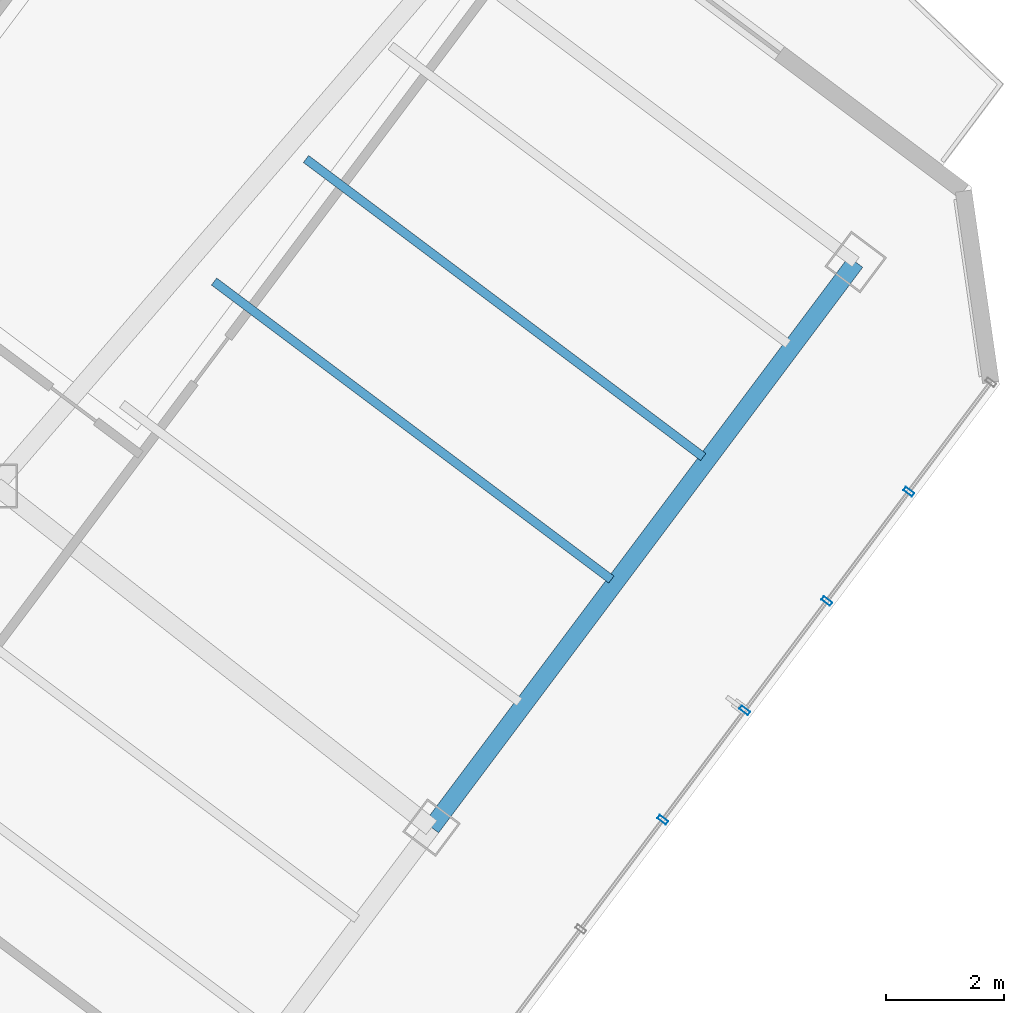
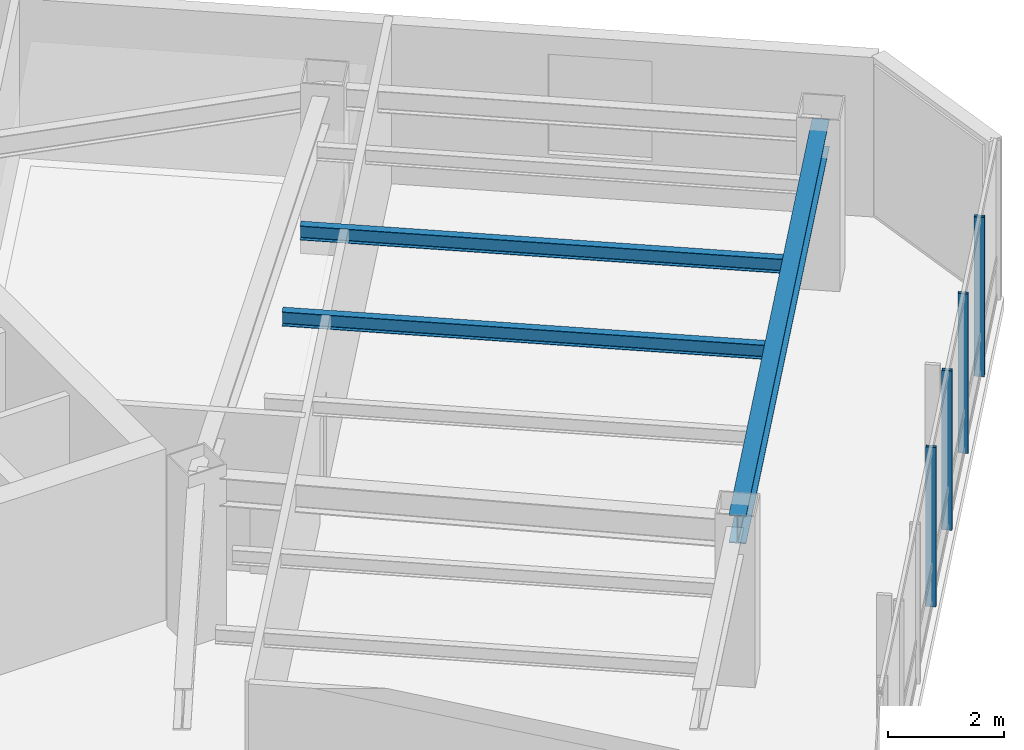
# One storey, part 13 of 25: 4 members, 3 beams, 1 element without a shape of its own.
"""IFC4 building model written with IfcOpenShell, lengths in metres."""

from ifc_helpers import new_model, si_unit, direction, frame, origin, origin_2d, place, context, subcontext, project, spatial, hollow_rectangle, i_section, extrude, material, layer, layer_set, material_profile, profile_set, type_object, element, aggregate, save


model = new_model("IFC4")

# Units and contexts
model_context = context("Model", 3, precision=1e-05, world=origin(), true_north=direction((0.0, 1.0)))
body_context = subcontext(model_context, "Body", "Model", "MODEL_VIEW")
ifc_project = project(units=[si_unit("LENGTHUNIT", "METRE"), si_unit("AREAUNIT", "SQUARE_METRE"), si_unit("VOLUMEUNIT", "CUBIC_METRE"), si_unit("PLANEANGLEUNIT", "RADIAN"), si_unit("MASSUNIT", "GRAM", prefix="KILO")], contexts=[model_context])

# Site, building, storey
site_placement = place(None, origin())
site = spatial("IfcSite", under=ifc_project, at=site_placement, CompositionType="ELEMENT")
building_placement = place(site_placement, origin())
building = spatial("IfcBuilding", under=site, at=building_placement, Name="Hatsunagi Terrace Concourse", CompositionType="ELEMENT")
storey_placement = place(building_placement, frame((0.0, 0.0, 205.949951171875)))
storey = spatial("IfcBuildingStorey", under=building, at=storey_placement, Name="L54", CompositionType="ELEMENT", Elevation=205.949951171875)

# Curtain wall, members
ifc_material_1 = material(Name="Anodised Aluminium Alloy 6063-T5", Category="aluminium")
ifc_layer = layer(ifc_material_1, 0.199951171875)
ifc_layer_set = layer_set([ifc_layer], Name="OfficeZone2_CW04")
curtain_wall_type = type_object("IfcCurtainWallType", Name="OfficeZone2_CW04", PredefinedType="NOTDEFINED", material=ifc_layer_set)
curtain_wall_placement = place(storey_placement, origin())
curtain_wall = element("IfcCurtainWall", 1, at=curtain_wall_placement, inside=storey, type_object=curtain_wall_type, Name="Unitised Curtain Wall CW-04 CW-L54-03", PredefinedType="NOTDEFINED")
ifc_material_2 = material(Name="Anodised Aluminium Alloy 6063-T5", Category="aluminium")
ifc_material_profile_1 = material_profile(ifc_material_2, hollow_rectangle(XDim=0.070068359375, YDim=0.179931640625, WallThickness=0.00390625, at=origin_2d()), Name="ALU-MUL-180x70x4")
ifc_profile_set_1 = profile_set([ifc_material_profile_1], Name="Anodised Aluminium Alloy 6063-T5")
member_type = type_object("IfcMemberType", Name="CurtainWallMullion_180x70", PredefinedType="MULLION", material=ifc_profile_set_1)
member_1_placement = place(storey_placement, frame((59.301025390625, 24.10205078125, 0.0), z_axis=(0.0, 0.0, 1.0), x_axis=(-0.599969314634, -0.800023013105, 0.0)))
member_1 = element("IfcMember", 2, at=member_1_placement, type_object=member_type, Name="Curtain Wall Mullion MUL-02", PredefinedType="MULLION", context=body_context, shape_type="SweptSolid", body=[
    extrude(hollow_rectangle(XDim=0.070068359375, YDim=0.179931640625, WallThickness=0.00390625, at=origin_2d()), origin(), (0.0, 0.0, 1.0), 3.35009765625),
])
member_2_placement = place(storey_placement, frame((57.908935546875, 22.2451171875, 0.0), z_axis=(0.0, 0.0, 1.0), x_axis=(-0.599969314634, -0.800023013105, 0.0)))
member_2 = element("IfcMember", 3, at=member_2_placement, type_object=member_type, Name="Curtain Wall Mullion MUL-02", PredefinedType="MULLION", context=body_context, shape_type="SweptSolid", body=[
    extrude(hollow_rectangle(XDim=0.070068359375, YDim=0.179931640625, WallThickness=0.00390625, at=origin_2d()), origin(), (0.0, 0.0, 1.0), 3.35009765625),
])
member_3_placement = place(storey_placement, frame((56.51611328125, 20.388916015625, 0.0), z_axis=(0.0, 0.0, 1.0), x_axis=(-0.599969314634, -0.800023013105, 0.0)))
member_3 = element("IfcMember", 4, at=member_3_placement, type_object=member_type, Name="Curtain Wall Mullion MUL-02", PredefinedType="MULLION", context=body_context, shape_type="SweptSolid", body=[
    extrude(hollow_rectangle(XDim=0.070068359375, YDim=0.179931640625, WallThickness=0.00390625, at=origin_2d()), origin(), (0.0, 0.0, 1.0), 3.35009765625),
])
member_4_placement = place(storey_placement, frame((55.1240234375, 18.531982421875, 0.0), z_axis=(0.0, 0.0, 1.0), x_axis=(-0.599969314634, -0.800023013105, 0.0)))
member_4 = element("IfcMember", 5, at=member_4_placement, type_object=member_type, Name="Curtain Wall Mullion MUL-02", PredefinedType="MULLION", context=body_context, shape_type="SweptSolid", body=[
    extrude(hollow_rectangle(XDim=0.070068359375, YDim=0.179931640625, WallThickness=0.00390625, at=origin_2d()), origin(), (0.0, 0.0, 1.0), 3.35009765625),
])
aggregate(curtain_wall, [member_1, member_2, member_3, member_4])

# Beams
ifc_material_3 = material(Name="Steel SN490B", Category="steel")
ifc_material_profile_2 = material_profile(ifc_material_3, i_section(OverallWidth=0.300048828125, OverallDepth=0.587890625, WebThickness=0.011962890625, FlangeThickness=0.02001953125, FilletRadius=0.01806640625, at=origin_2d()), Name="H-588x300x12x20")
ifc_profile_set_2 = profile_set([ifc_material_profile_2], Name="Steel SN490B")
beam_type_1 = type_object("IfcBeamType", Name="OfficeHighGirder_H_588x300", PredefinedType="BEAM", material=ifc_profile_set_2)
beam_placement = place(storey_placement, frame((51.199951171875, 18.39990234375, 3.05615234375), z_axis=(0.59999348959, 0.800004882766, 0.0), x_axis=(-0.800004882766, 0.59999348959, 0.0)))
element("IfcBeam", 6, at=beam_placement, inside=storey, type_object=beam_type_1, Name="Beam G-06 BM-L54-SET-2B", PredefinedType="BEAM", context=body_context, shape_type="SweptSolid", body=[
    extrude(i_section(OverallWidth=0.300048828125, OverallDepth=0.587890625, WebThickness=0.011962890625, FlangeThickness=0.02001953125, FilletRadius=0.01806640625, at=origin_2d()), origin(), (0.0, 0.0, 1.0), 12.0),
])
ifc_material_4 = material(Name="Steel SN490B", Category="steel")
ifc_material_profile_3 = material_profile(ifc_material_4, i_section(OverallWidth=0.14990234375, OverallDepth=0.300048828125, WebThickness=0.006591796875, FlangeThickness=0.009033203125, FilletRadius=0.010986328125, at=origin_2d()), Name="H-300x150x6.5x9")
ifc_profile_set_3 = profile_set([ifc_material_profile_3], Name="Steel SN490B")
beam_type_2 = type_object("IfcBeamType", Name="OfficeJoist_H_300x150", PredefinedType="JOIST", material=ifc_profile_set_3)
for number, where, z_axis, x_axis, name in (
    (7, (47.508056640625, 27.6689453125, 3.199951171875), (0.800003475366, -0.59999536615, 0.0), (0.59999536615, 0.800003475366, 0.0), "Beam J-03 J-L54-SE-2-168"),
    (8, (49.068115234375, 29.7490234375, 3.199951171875), (0.799989573921, -0.600013901187, 0.0), (0.600013901187, 0.799989573921, 0.0), "Beam J-03 J-L54-SE-2-194"),
):
    element("IfcBeam", number, at=place(storey_placement, frame(where, z_axis=z_axis, x_axis=x_axis)), inside=storey, type_object=beam_type_2, Name=name, PredefinedType="JOIST", context=body_context, shape_type="SweptSolid", body=[
        extrude(i_section(OverallWidth=0.14990234375, OverallDepth=0.300048828125, WebThickness=0.006591796875, FlangeThickness=0.009033203125, FilletRadius=0.010986328125, at=origin_2d()), origin(), (0.0, 0.0, 1.0), 8.429931640625),
    ])

save(model, "model.ifc")
